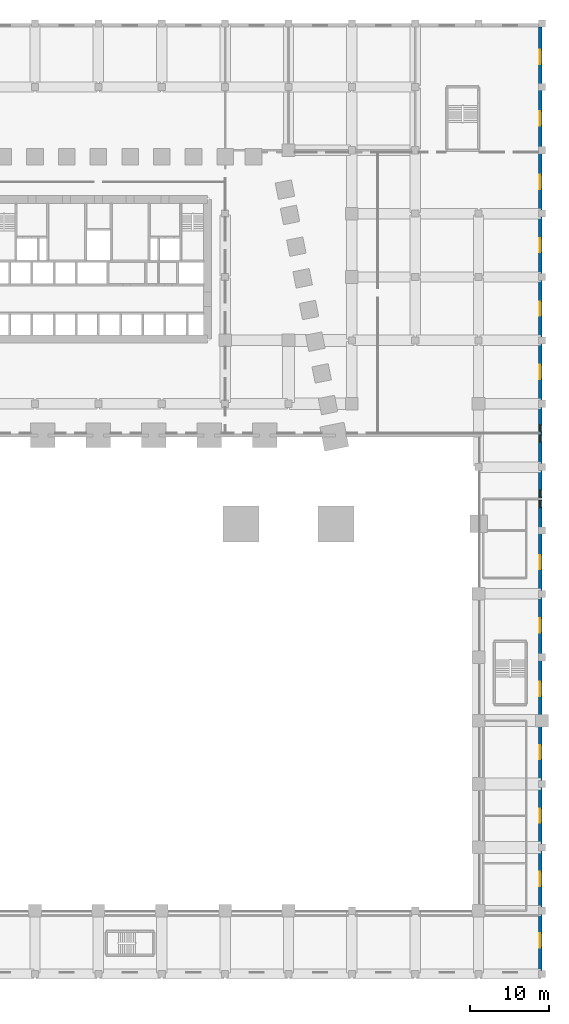
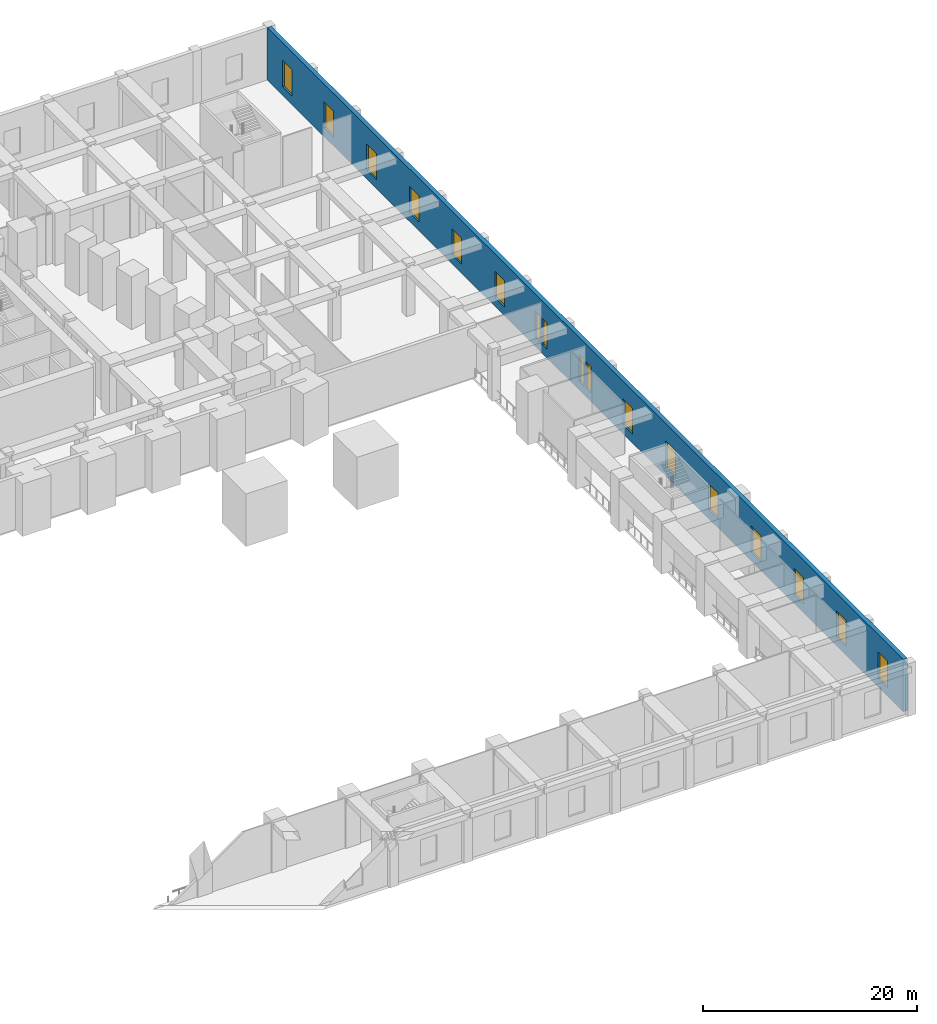
# One storey, part 9 of 25: 17 windows, 1 wall, 17 openings.
"""IFC4 building model written with IfcOpenShell, lengths in metres."""

import ifcopenshell
import ifcopenshell.guid

model = None  # the IFC model being written
_history = None  # IfcOwnerHistory: only IFC2X3 demands one
_inside = {}  # id of a spatial element -> (the spatial element, [elements in it])
_under = {}  # id of a project, library or spatial element -> (it, [spatial elements below it])
_declared = {}  # id of a project -> (the project, [libraries it declares])
_typed = {}  # id of a type object -> (the type object, [elements of that type])
_made_of = {}  # id of a material, layer set ... -> (it, [elements and type objects made of it])


def new_model(schema):
    """Start an empty IFC model of exactly this schema.

    Asked for "IFC4X3", IfcOpenShell would pick the latest addendum, in which some entities
    have other attributes; the version numbers below select the first issue.
    IFC2X3 requires an IfcOwnerHistory on every rooted entity: one is made here for all.
    """
    global model, _history
    if schema == "IFC4X3":
        model = ifcopenshell.file(schema_version=(4, 3, 0, 0))
    else:
        model = ifcopenshell.file(schema=schema)
    _inside.clear()
    _under.clear()
    _declared.clear()
    _typed.clear()
    _made_of.clear()
    _history = None
    if model.schema == "IFC2X3":
        org = make("IfcOrganization", Name="unknown")
        user = make(
            "IfcPersonAndOrganization",
            ThePerson=make("IfcPerson", FamilyName="unknown"),
            TheOrganization=org,
        )
        app = make(
            "IfcApplication",
            ApplicationDeveloper=org,
            Version="unknown",
            ApplicationFullName="unknown",
            ApplicationIdentifier="unknown",
        )
        _history = make(
            "IfcOwnerHistory",
            OwningUser=user,
            OwningApplication=app,
            ChangeAction="ADDED",
            CreationDate=0,
        )
    return model


def make(cls, **values):
    """One entity of the class cls with the attributes given. An attribute that is None is left unset."""
    return model.create_entity(
        cls, **{name: value for name, value in values.items() if value is not None}
    )


def rooted(cls, **values):
    """An entity with a GlobalId (a new one), such as an element, a storey or a relation."""
    return make(cls, GlobalId=ifcopenshell.guid.new(), OwnerHistory=_history, **values)


def si_unit(unit_type, name, prefix=None):
    """IfcSIUnit, for example si_unit("LENGTHUNIT", "METRE", prefix="MILLI")."""
    return make("IfcSIUnit", UnitType=unit_type, Prefix=prefix, Name=name)


def assignment(units):
    """IfcUnitAssignment: the units of a project."""
    return None if units is None else make("IfcUnitAssignment", Units=units)


def point(xyz):
    """IfcCartesianPoint."""
    return None if xyz is None else make("IfcCartesianPoint", Coordinates=xyz)


def direction(xyz):
    """IfcDirection."""
    return None if xyz is None else make("IfcDirection", DirectionRatios=xyz)


def frame(location, z_axis=None, x_axis=None):
    """IfcAxis2Placement3D, a coordinate frame: its origin and axes. An axis left out is left unset."""
    return make(
        "IfcAxis2Placement3D",
        Location=point(location),
        Axis=direction(z_axis),
        RefDirection=direction(x_axis),
    )


def frame_2d(location, x_axis=None):
    """IfcAxis2Placement2D, a coordinate frame in the plane: its origin and x axis."""
    return make(
        "IfcAxis2Placement2D", Location=point(location), RefDirection=direction(x_axis)
    )


def origin():
    """The frame at (0, 0, 0) with its axes left unset."""
    return frame((0.0, 0.0, 0.0))


def place(relative_to, where):
    """IfcLocalPlacement: puts the frame where relative to a parent placement (None: the world)."""
    return make(
        "IfcLocalPlacement", PlacementRelTo=relative_to, RelativePlacement=where
    )


def context(
    kind, dimensions, precision=None, world=None, true_north=None, identifier=None
):
    """IfcGeometricRepresentationContext, for example the 3D "Model" context."""
    return make(
        "IfcGeometricRepresentationContext",
        ContextIdentifier=identifier,
        ContextType=kind,
        CoordinateSpaceDimension=dimensions,
        Precision=precision,
        WorldCoordinateSystem=world,
        TrueNorth=true_north,
    )


def subcontext(parent, identifier, kind, view, scale=None):
    """IfcGeometricRepresentationSubContext, for example "Body" below "Model"."""
    return make(
        "IfcGeometricRepresentationSubContext",
        ContextIdentifier=identifier,
        ContextType=kind,
        ParentContext=parent,
        TargetScale=scale,
        TargetView=view,
    )


def project(units=None, contexts=None):
    """IfcProject with its units and contexts."""
    return rooted(
        "IfcProject",
        Name="project",
        RepresentationContexts=contexts,
        UnitsInContext=assignment(units),
    )


def spatial(cls, under=None, at=None, **own):
    """A site, building, storey or space (cls), placed at a placement, below another one or the project."""
    s = rooted(cls, ObjectPlacement=at, **own)
    if under is not None:
        _under.setdefault(under.id(), (under, []))[1].append(s)
    return s


def profile(cls, at=None, kind="AREA", **sizes):
    """A parametric profile (cls). Its sizes go by their IFC names, for example OverallWidth=200.0."""
    return make(cls, ProfileType=kind, Position=at, **sizes)


def rectangle(**sizes):
    """IfcRectangleProfileDef."""
    return profile("IfcRectangleProfileDef", **sizes)


def extrude(swept, where, along, depth):
    """IfcExtrudedAreaSolid: the profile swept, set in the frame where, extruded along a direction by depth."""
    return make(
        "IfcExtrudedAreaSolid",
        SweptArea=swept,
        Position=where,
        ExtrudedDirection=direction(along),
        Depth=depth,
    )


def shape(context_of_items, identifier, shape_type, items):
    """IfcShapeRepresentation: the items that make up one representation, for example the "Body"."""
    return make(
        "IfcShapeRepresentation",
        ContextOfItems=context_of_items,
        RepresentationIdentifier=identifier,
        RepresentationType=shape_type,
        Items=items,
    )


def material(Name=None, Category=None):
    """IfcMaterial."""
    return make("IfcMaterial", Name=Name, Category=Category)


def layer(
    of_material, thickness, ventilated=None, Name=None, Category=None, Priority=None
):
    """IfcMaterialLayer: one layer of a wall or slab, of a material (None: an air gap)."""
    return make(
        "IfcMaterialLayer",
        Material=of_material,
        LayerThickness=thickness,
        IsVentilated=ventilated,
        Name=Name,
        Category=Category,
        Priority=Priority,
    )


def layer_set(layers, Name=None):
    """IfcMaterialLayerSet."""
    return make("IfcMaterialLayerSet", MaterialLayers=layers, LayerSetName=Name)


def made_of(thing, what):
    """Note that an element or type object is made of a material, layer set ...; save() writes the relation."""
    if what is not None:
        _made_of.setdefault(what.id(), (what, []))[1].append(thing)
    return thing


def type_object(cls, material=None, **own):
    """A type object (cls), such as IfcWallType, which elements share."""
    return made_of(rooted(cls, **own), material)


def element(
    cls,
    number,
    at=None,
    inside=None,
    cuts=None,
    type_object=None,
    material=None,
    context=None,
    identifier="Body",
    shape_type=None,
    held_by="IfcProductDefinitionShape",
    body=None,
    shapes=None,
    **own,
):
    """One element of the class cls, such as IfcWall. Its Tag is "e" and its number.

    at: its placement. inside: the storey or other place that contains it. cuts: it is an
    opening in that element (IfcRelVoidsElement). A single representation is given by context,
    identifier, shape_type and body (its items); several are given by shapes. held_by: the class
    of the entity that holds the representations. save() writes the other relations.
    """
    e = rooted(cls, Tag="e%d" % number, ObjectPlacement=at, **own)
    if body is not None:
        shapes = [shape(context, identifier, shape_type, body)]
    if shapes is not None:
        e.Representation = make(held_by, Representations=shapes)
    if inside is not None:
        _inside.setdefault(inside.id(), (inside, []))[1].append(e)
    if cuts is not None:
        rooted(
            "IfcRelVoidsElement", RelatingBuildingElement=cuts, RelatedOpeningElement=e
        )
    if type_object is not None:
        _typed.setdefault(type_object.id(), (type_object, []))[1].append(e)
    return made_of(e, material)


def fill(opening, filler):
    """IfcRelFillsElement: the door or window that sits in an opening."""
    return rooted(
        "IfcRelFillsElement",
        RelatingOpeningElement=opening,
        RelatedBuildingElement=filler,
    )


def aggregate(whole, parts):
    """IfcRelAggregates: a whole, such as a stair, and the parts it consists of."""
    return rooted("IfcRelAggregates", RelatingObject=whole, RelatedObjects=parts)


def save(model, path):
    """Write the relations noted so far, then the file.

    IfcRelAggregates (storeys below a building ...), IfcRelContainedInSpatialStructure (elements
    in a storey), IfcRelDefinesByType, IfcRelAssociatesMaterial and IfcRelDeclares: one each for
    every whole, place, type object, material and project.
    """
    for whole, parts in _under.values():
        aggregate(whole, parts)
    for where, things in _inside.values():
        rooted(
            "IfcRelContainedInSpatialStructure",
            RelatedElements=things,
            RelatingStructure=where,
        )
    for kind, things in _typed.values():
        rooted("IfcRelDefinesByType", RelatedObjects=things, RelatingType=kind)
    for what, things in _made_of.values():
        rooted("IfcRelAssociatesMaterial", RelatedObjects=things, RelatingMaterial=what)
    for by, libraries in _declared.values():
        rooted("IfcRelDeclares", RelatingContext=by, RelatedDefinitions=libraries)
    model.write(path)


model = new_model("IFC4")

# Units and contexts
model_context = context("Model", 3, precision=1e-05, world=origin(), true_north=direction((0.0, 1.0)))
body_context = subcontext(model_context, "Body", "Model", "MODEL_VIEW")
ifc_project = project(units=[si_unit("LENGTHUNIT", "METRE"), si_unit("AREAUNIT", "SQUARE_METRE"), si_unit("VOLUMEUNIT", "CUBIC_METRE"), si_unit("PLANEANGLEUNIT", "RADIAN"), si_unit("MASSUNIT", "GRAM", prefix="KILO")], contexts=[model_context])

# Site, building, storey
site_placement = place(None, origin())
site = spatial("IfcSite", under=ifc_project, at=site_placement, CompositionType="ELEMENT")
building_placement = place(site_placement, origin())
building = spatial("IfcBuilding", under=site, at=building_placement, Name="Isbrekke Arena Tower", CompositionType="ELEMENT")
storey_placement = place(building_placement, frame((0.0, 0.0, 6.0)))
storey = spatial("IfcBuildingStorey", under=building, at=storey_placement, Name="L01", CompositionType="ELEMENT", Elevation=6.0)

# Wall, openings, windows
ifc_material_1 = material(Name="Pale brick facing on concrete backing wall", Category="masonry")
ifc_layer = layer(ifc_material_1, 0.449951171875)
ifc_layer_set = layer_set([ifc_layer], Name="EW1 PODIUM BRICK WALL 450")
wall_type = type_object("IfcWallType", Name="EW1 PODIUM BRICK WALL 450", PredefinedType="SOLIDWALL", material=ifc_layer_set)
wall_placement = place(storey_placement, frame((55.77490234375, -73.550048828125, 0.0), z_axis=(0.0, 0.0, 1.0), x_axis=(0.0, 1.0, 0.0)))
wall = element("IfcWall", 1, at=wall_placement, inside=storey, type_object=wall_type, Name="EW1 podium wall E L01", PredefinedType="SOLIDWALL", context=body_context, shape_type="SweptSolid", body=[
    extrude(rectangle(XDim=119.10009765625, YDim=0.449951171875, at=frame_2d((59.550048828125, 0.0))), origin(), (0.0, 0.0, 1.0), 6.0),
])
opening_1_placement = place(wall_placement, frame((2.875, 0.0, 1.0)))
opening_1 = element("IfcOpeningElement", 2, at=opening_1_placement, cuts=wall, Name="Opening WN2", PredefinedType="OPENING", context=body_context, shape_type="SweptSolid", body=[
    extrude(rectangle(XDim=1.800048828125, YDim=3.0, at=frame_2d((0.89990234375, 1.5))), frame((0.0, 0.23974609375, 0.0), z_axis=(0.0, -1.0, 0.0), x_axis=(1.0, 0.0, 0.0)), (0.0, 0.0, 1.0), 0.479736328125),
])
opening_2_placement = place(wall_placement, frame((10.64990234375, 0.0, 1.0)))
opening_2 = element("IfcOpeningElement", 3, at=opening_2_placement, cuts=wall, Name="Opening WN2", PredefinedType="OPENING", context=body_context, shape_type="SweptSolid", body=[
    extrude(rectangle(XDim=1.800048828125, YDim=3.0, at=frame_2d((0.89990234375, 1.5))), frame((0.0, 0.23974609375, 0.0), z_axis=(0.0, -1.0, 0.0), x_axis=(1.0, 0.0, 0.0)), (0.0, 0.0, 1.0), 0.479736328125),
])
opening_3_placement = place(wall_placement, frame((18.64990234375, 0.0, 1.0)))
opening_3 = element("IfcOpeningElement", 4, at=opening_3_placement, cuts=wall, Name="Opening WN2", PredefinedType="OPENING", context=body_context, shape_type="SweptSolid", body=[
    extrude(rectangle(XDim=1.800048828125, YDim=3.0, at=frame_2d((0.89990234375, 1.5))), frame((0.0, 0.23974609375, 0.0), z_axis=(0.0, -1.0, 0.0), x_axis=(1.0, 0.0, 0.0)), (0.0, 0.0, 1.0), 0.479736328125),
])
opening_4_placement = place(wall_placement, frame((26.64990234375, 0.0, 1.0)))
opening_4 = element("IfcOpeningElement", 5, at=opening_4_placement, cuts=wall, Name="Opening WN2", PredefinedType="OPENING", context=body_context, shape_type="SweptSolid", body=[
    extrude(rectangle(XDim=1.800048828125, YDim=3.0, at=frame_2d((0.89990234375, 1.5))), frame((0.0, 0.23974609375, 0.0), z_axis=(0.0, -1.0, 0.0), x_axis=(1.0, 0.0, 0.0)), (0.0, 0.0, 1.0), 0.479736328125),
])
opening_5_placement = place(wall_placement, frame((34.64990234375, 0.0, 1.0)))
opening_5 = element("IfcOpeningElement", 6, at=opening_5_placement, cuts=wall, Name="Opening WN2", PredefinedType="OPENING", context=body_context, shape_type="SweptSolid", body=[
    extrude(rectangle(XDim=1.800048828125, YDim=3.0, at=frame_2d((0.89990234375, 1.5))), frame((0.0, 0.23974609375, 0.0), z_axis=(0.0, -1.0, 0.0), x_axis=(1.0, 0.0, 0.0)), (0.0, 0.0, 1.0), 0.479736328125),
])
opening_6_placement = place(wall_placement, frame((42.64990234375, 0.0, 1.0)))
opening_6 = element("IfcOpeningElement", 7, at=opening_6_placement, cuts=wall, Name="Opening WN2", PredefinedType="OPENING", context=body_context, shape_type="SweptSolid", body=[
    extrude(rectangle(XDim=1.800048828125, YDim=3.0, at=frame_2d((0.89990234375, 1.5))), frame((0.0, 0.23974609375, 0.0), z_axis=(0.0, -1.0, 0.0), x_axis=(1.0, 0.0, 0.0)), (0.0, 0.0, 1.0), 0.479736328125),
])
opening_7_placement = place(wall_placement, frame((50.64990234375, 0.0, 1.0)))
opening_7 = element("IfcOpeningElement", 8, at=opening_7_placement, cuts=wall, Name="Opening WN2", PredefinedType="OPENING", context=body_context, shape_type="SweptSolid", body=[
    extrude(rectangle(XDim=1.800048828125, YDim=3.0, at=frame_2d((0.89990234375, 1.5))), frame((0.0, 0.23974609375, 0.0), z_axis=(0.0, -1.0, 0.0), x_axis=(1.0, 0.0, 0.0)), (0.0, 0.0, 1.0), 0.479736328125),
])
opening_8_placement = place(wall_placement, frame((58.449951171875, 0.0, 1.0)))
opening_8 = element("IfcOpeningElement", 9, at=opening_8_placement, cuts=wall, Name="Opening WN4", PredefinedType="OPENING", context=body_context, shape_type="SweptSolid", body=[
    extrude(rectangle(XDim=0.89990234375, YDim=3.0, at=frame_2d((0.449951171875, 1.5))), frame((0.0, 0.23974609375, 0.0), z_axis=(0.0, -1.0, 0.0), x_axis=(1.0, 0.0, 0.0)), (0.0, 0.0, 1.0), 0.479736328125),
])
opening_9_placement = place(wall_placement, frame((59.75, 0.0, 1.0)))
opening_9 = element("IfcOpeningElement", 10, at=opening_9_placement, cuts=wall, Name="Opening WN4", PredefinedType="OPENING", context=body_context, shape_type="SweptSolid", body=[
    extrude(rectangle(XDim=0.89990234375, YDim=3.0, at=frame_2d((0.449951171875, 1.5))), frame((0.0, 0.23974609375, 0.0), z_axis=(0.0, -1.0, 0.0), x_axis=(1.0, 0.0, 0.0)), (0.0, 0.0, 1.0), 0.479736328125),
])
opening_10_placement = place(wall_placement, frame((66.699951171875, 0.0, 1.0)))
opening_10 = element("IfcOpeningElement", 11, at=opening_10_placement, cuts=wall, Name="Opening WN4", PredefinedType="OPENING", context=body_context, shape_type="SweptSolid", body=[
    extrude(rectangle(XDim=0.89990234375, YDim=3.0, at=frame_2d((0.449951171875, 1.5))), frame((0.0, 0.23974609375, 0.0), z_axis=(0.0, -1.0, 0.0), x_axis=(1.0, 0.0, 0.0)), (0.0, 0.0, 1.0), 0.479736328125),
])
opening_11_placement = place(wall_placement, frame((68.0, 0.0, 1.0)))
opening_11 = element("IfcOpeningElement", 12, at=opening_11_placement, cuts=wall, Name="Opening WN4", PredefinedType="OPENING", context=body_context, shape_type="SweptSolid", body=[
    extrude(rectangle(XDim=0.89990234375, YDim=3.0, at=frame_2d((0.449951171875, 1.5))), frame((0.0, 0.23974609375, 0.0), z_axis=(0.0, -1.0, 0.0), x_axis=(1.0, 0.0, 0.0)), (0.0, 0.0, 1.0), 0.479736328125),
])
opening_12_placement = place(wall_placement, frame((74.64990234375, 0.0, 1.0)))
opening_12 = element("IfcOpeningElement", 13, at=opening_12_placement, cuts=wall, Name="Opening WN2", PredefinedType="OPENING", context=body_context, shape_type="SweptSolid", body=[
    extrude(rectangle(XDim=1.800048828125, YDim=3.0, at=frame_2d((0.89990234375, 1.5))), frame((0.0, 0.23974609375, 0.0), z_axis=(0.0, -1.0, 0.0), x_axis=(1.0, 0.0, 0.0)), (0.0, 0.0, 1.0), 0.479736328125),
])
opening_13_placement = place(wall_placement, frame((82.64990234375, 0.0, 1.0)))
opening_13 = element("IfcOpeningElement", 14, at=opening_13_placement, cuts=wall, Name="Opening WN2", PredefinedType="OPENING", context=body_context, shape_type="SweptSolid", body=[
    extrude(rectangle(XDim=1.800048828125, YDim=3.0, at=frame_2d((0.89990234375, 1.5))), frame((0.0, 0.23974609375, 0.0), z_axis=(0.0, -1.0, 0.0), x_axis=(1.0, 0.0, 0.0)), (0.0, 0.0, 1.0), 0.479736328125),
])
opening_14_placement = place(wall_placement, frame((90.64990234375, 0.0, 1.0)))
opening_14 = element("IfcOpeningElement", 15, at=opening_14_placement, cuts=wall, Name="Opening WN2", PredefinedType="OPENING", context=body_context, shape_type="SweptSolid", body=[
    extrude(rectangle(XDim=1.800048828125, YDim=3.0, at=frame_2d((0.89990234375, 1.5))), frame((0.0, 0.23974609375, 0.0), z_axis=(0.0, -1.0, 0.0), x_axis=(1.0, 0.0, 0.0)), (0.0, 0.0, 1.0), 0.479736328125),
])
opening_15_placement = place(wall_placement, frame((98.64990234375, 0.0, 1.0)))
opening_15 = element("IfcOpeningElement", 16, at=opening_15_placement, cuts=wall, Name="Opening WN2", PredefinedType="OPENING", context=body_context, shape_type="SweptSolid", body=[
    extrude(rectangle(XDim=1.800048828125, YDim=3.0, at=frame_2d((0.89990234375, 1.5))), frame((0.0, 0.23974609375, 0.0), z_axis=(0.0, -1.0, 0.0), x_axis=(1.0, 0.0, 0.0)), (0.0, 0.0, 1.0), 0.479736328125),
])
opening_16_placement = place(wall_placement, frame((106.64990234375, 0.0, 1.0)))
opening_16 = element("IfcOpeningElement", 17, at=opening_16_placement, cuts=wall, Name="Opening WN2", PredefinedType="OPENING", context=body_context, shape_type="SweptSolid", body=[
    extrude(rectangle(XDim=1.800048828125, YDim=3.0, at=frame_2d((0.89990234375, 1.5))), frame((0.0, 0.23974609375, 0.0), z_axis=(0.0, -1.0, 0.0), x_axis=(1.0, 0.0, 0.0)), (0.0, 0.0, 1.0), 0.479736328125),
])
opening_17_placement = place(wall_placement, frame((114.425048828125, 0.0, 1.0)))
opening_17 = element("IfcOpeningElement", 18, at=opening_17_placement, cuts=wall, Name="Opening WN2", PredefinedType="OPENING", context=body_context, shape_type="SweptSolid", body=[
    extrude(rectangle(XDim=1.800048828125, YDim=3.0, at=frame_2d((0.89990234375, 1.5))), frame((0.0, 0.23974609375, 0.0), z_axis=(0.0, -1.0, 0.0), x_axis=(1.0, 0.0, 0.0)), (0.0, 0.0, 1.0), 0.479736328125),
])
ifc_material_2 = material(Name="Timber-aluminium window, triple glazed", Category="wood")
window_type_1 = type_object("IfcWindowType", Name="WN2 PODIUM WINDOW 1800 x 3000", PartitioningType="SINGLE_PANEL", PredefinedType="WINDOW", material=ifc_material_2)
window_1_placement = place(opening_1_placement, origin())
window_1 = element("IfcWindow", 19, at=window_1_placement, inside=storey, type_object=window_type_1, Name="WN2 podium window E-1", OverallHeight=3.0, OverallWidth=1.800048828125, PartitioningType="SINGLE_PANEL", PredefinedType="WINDOW", context=body_context, shape_type="SweptSolid", body=[
    extrude(rectangle(XDim=1.800048828125, YDim=3.0, at=frame_2d((0.89990234375, 1.5))), frame((0.0, 0.030029296875, 0.0), z_axis=(0.0, -1.0, 0.0), x_axis=(1.0, 0.0, 0.0)), (0.0, 0.0, 1.0), 0.06005859375),
])
fill(opening_1, window_1)
window_2_placement = place(opening_2_placement, origin())
window_2 = element("IfcWindow", 20, at=window_2_placement, inside=storey, type_object=window_type_1, Name="WN2 podium window E-2", OverallHeight=3.0, OverallWidth=1.800048828125, PartitioningType="SINGLE_PANEL", PredefinedType="WINDOW", context=body_context, shape_type="SweptSolid", body=[
    extrude(rectangle(XDim=1.800048828125, YDim=3.0, at=frame_2d((0.89990234375, 1.5))), frame((0.0, 0.030029296875, 0.0), z_axis=(0.0, -1.0, 0.0), x_axis=(1.0, 0.0, 0.0)), (0.0, 0.0, 1.0), 0.06005859375),
])
fill(opening_2, window_2)
window_3_placement = place(opening_3_placement, origin())
window_3 = element("IfcWindow", 21, at=window_3_placement, inside=storey, type_object=window_type_1, Name="WN2 podium window E-3", OverallHeight=3.0, OverallWidth=1.800048828125, PartitioningType="SINGLE_PANEL", PredefinedType="WINDOW", context=body_context, shape_type="SweptSolid", body=[
    extrude(rectangle(XDim=1.800048828125, YDim=3.0, at=frame_2d((0.89990234375, 1.5))), frame((0.0, 0.030029296875, 0.0), z_axis=(0.0, -1.0, 0.0), x_axis=(1.0, 0.0, 0.0)), (0.0, 0.0, 1.0), 0.06005859375),
])
fill(opening_3, window_3)
window_4_placement = place(opening_4_placement, origin())
window_4 = element("IfcWindow", 22, at=window_4_placement, inside=storey, type_object=window_type_1, Name="WN2 podium window E-4", OverallHeight=3.0, OverallWidth=1.800048828125, PartitioningType="SINGLE_PANEL", PredefinedType="WINDOW", context=body_context, shape_type="SweptSolid", body=[
    extrude(rectangle(XDim=1.800048828125, YDim=3.0, at=frame_2d((0.89990234375, 1.5))), frame((0.0, 0.030029296875, 0.0), z_axis=(0.0, -1.0, 0.0), x_axis=(1.0, 0.0, 0.0)), (0.0, 0.0, 1.0), 0.06005859375),
])
fill(opening_4, window_4)
window_5_placement = place(opening_5_placement, origin())
window_5 = element("IfcWindow", 23, at=window_5_placement, inside=storey, type_object=window_type_1, Name="WN2 podium window E-5", OverallHeight=3.0, OverallWidth=1.800048828125, PartitioningType="SINGLE_PANEL", PredefinedType="WINDOW", context=body_context, shape_type="SweptSolid", body=[
    extrude(rectangle(XDim=1.800048828125, YDim=3.0, at=frame_2d((0.89990234375, 1.5))), frame((0.0, 0.030029296875, 0.0), z_axis=(0.0, -1.0, 0.0), x_axis=(1.0, 0.0, 0.0)), (0.0, 0.0, 1.0), 0.06005859375),
])
fill(opening_5, window_5)
window_6_placement = place(opening_6_placement, origin())
window_6 = element("IfcWindow", 24, at=window_6_placement, inside=storey, type_object=window_type_1, Name="WN2 podium window E-6", OverallHeight=3.0, OverallWidth=1.800048828125, PartitioningType="SINGLE_PANEL", PredefinedType="WINDOW", context=body_context, shape_type="SweptSolid", body=[
    extrude(rectangle(XDim=1.800048828125, YDim=3.0, at=frame_2d((0.89990234375, 1.5))), frame((0.0, 0.030029296875, 0.0), z_axis=(0.0, -1.0, 0.0), x_axis=(1.0, 0.0, 0.0)), (0.0, 0.0, 1.0), 0.06005859375),
])
fill(opening_6, window_6)
window_7_placement = place(opening_7_placement, origin())
window_7 = element("IfcWindow", 25, at=window_7_placement, inside=storey, type_object=window_type_1, Name="WN2 podium window E-7", OverallHeight=3.0, OverallWidth=1.800048828125, PartitioningType="SINGLE_PANEL", PredefinedType="WINDOW", context=body_context, shape_type="SweptSolid", body=[
    extrude(rectangle(XDim=1.800048828125, YDim=3.0, at=frame_2d((0.89990234375, 1.5))), frame((0.0, 0.030029296875, 0.0), z_axis=(0.0, -1.0, 0.0), x_axis=(1.0, 0.0, 0.0)), (0.0, 0.0, 1.0), 0.06005859375),
])
fill(opening_7, window_7)
window_8_placement = place(opening_12_placement, origin())
window_8 = element("IfcWindow", 26, at=window_8_placement, inside=storey, type_object=window_type_1, Name="WN2 podium window E-10", OverallHeight=3.0, OverallWidth=1.800048828125, PartitioningType="SINGLE_PANEL", PredefinedType="WINDOW", context=body_context, shape_type="SweptSolid", body=[
    extrude(rectangle(XDim=1.800048828125, YDim=3.0, at=frame_2d((0.89990234375, 1.5))), frame((0.0, 0.030029296875, 0.0), z_axis=(0.0, -1.0, 0.0), x_axis=(1.0, 0.0, 0.0)), (0.0, 0.0, 1.0), 0.06005859375),
])
fill(opening_12, window_8)
window_9_placement = place(opening_13_placement, origin())
window_9 = element("IfcWindow", 27, at=window_9_placement, inside=storey, type_object=window_type_1, Name="WN2 podium window E-11", OverallHeight=3.0, OverallWidth=1.800048828125, PartitioningType="SINGLE_PANEL", PredefinedType="WINDOW", context=body_context, shape_type="SweptSolid", body=[
    extrude(rectangle(XDim=1.800048828125, YDim=3.0, at=frame_2d((0.89990234375, 1.5))), frame((0.0, 0.030029296875, 0.0), z_axis=(0.0, -1.0, 0.0), x_axis=(1.0, 0.0, 0.0)), (0.0, 0.0, 1.0), 0.06005859375),
])
fill(opening_13, window_9)
window_10_placement = place(opening_14_placement, origin())
window_10 = element("IfcWindow", 28, at=window_10_placement, inside=storey, type_object=window_type_1, Name="WN2 podium window E-12", OverallHeight=3.0, OverallWidth=1.800048828125, PartitioningType="SINGLE_PANEL", PredefinedType="WINDOW", context=body_context, shape_type="SweptSolid", body=[
    extrude(rectangle(XDim=1.800048828125, YDim=3.0, at=frame_2d((0.89990234375, 1.5))), frame((0.0, 0.030029296875, 0.0), z_axis=(0.0, -1.0, 0.0), x_axis=(1.0, 0.0, 0.0)), (0.0, 0.0, 1.0), 0.06005859375),
])
fill(opening_14, window_10)
window_11_placement = place(opening_15_placement, origin())
window_11 = element("IfcWindow", 29, at=window_11_placement, inside=storey, type_object=window_type_1, Name="WN2 podium window E-13", OverallHeight=3.0, OverallWidth=1.800048828125, PartitioningType="SINGLE_PANEL", PredefinedType="WINDOW", context=body_context, shape_type="SweptSolid", body=[
    extrude(rectangle(XDim=1.800048828125, YDim=3.0, at=frame_2d((0.89990234375, 1.5))), frame((0.0, 0.030029296875, 0.0), z_axis=(0.0, -1.0, 0.0), x_axis=(1.0, 0.0, 0.0)), (0.0, 0.0, 1.0), 0.06005859375),
])
fill(opening_15, window_11)
window_12_placement = place(opening_16_placement, origin())
window_12 = element("IfcWindow", 30, at=window_12_placement, inside=storey, type_object=window_type_1, Name="WN2 podium window E-14", OverallHeight=3.0, OverallWidth=1.800048828125, PartitioningType="SINGLE_PANEL", PredefinedType="WINDOW", context=body_context, shape_type="SweptSolid", body=[
    extrude(rectangle(XDim=1.800048828125, YDim=3.0, at=frame_2d((0.89990234375, 1.5))), frame((0.0, 0.030029296875, 0.0), z_axis=(0.0, -1.0, 0.0), x_axis=(1.0, 0.0, 0.0)), (0.0, 0.0, 1.0), 0.06005859375),
])
fill(opening_16, window_12)
window_13_placement = place(opening_17_placement, origin())
window_13 = element("IfcWindow", 31, at=window_13_placement, inside=storey, type_object=window_type_1, Name="WN2 podium window E-15", OverallHeight=3.0, OverallWidth=1.800048828125, PartitioningType="SINGLE_PANEL", PredefinedType="WINDOW", context=body_context, shape_type="SweptSolid", body=[
    extrude(rectangle(XDim=1.800048828125, YDim=3.0, at=frame_2d((0.89990234375, 1.5))), frame((0.0, 0.030029296875, 0.0), z_axis=(0.0, -1.0, 0.0), x_axis=(1.0, 0.0, 0.0)), (0.0, 0.0, 1.0), 0.06005859375),
])
fill(opening_17, window_13)
ifc_material_3 = material(Name="Timber-aluminium window, triple glazed", Category="wood")
window_type_2 = type_object("IfcWindowType", Name="WN4 PODIUM WINDOW 900 x 3000", PartitioningType="SINGLE_PANEL", PredefinedType="WINDOW", material=ifc_material_3)
window_14_placement = place(opening_8_placement, origin())
window_14 = element("IfcWindow", 32, at=window_14_placement, inside=storey, type_object=window_type_2, Name="WN4 podium window E-8a", OverallHeight=3.0, OverallWidth=0.89990234375, PartitioningType="SINGLE_PANEL", PredefinedType="WINDOW", context=body_context, shape_type="SweptSolid", body=[
    extrude(rectangle(XDim=0.89990234375, YDim=3.0, at=frame_2d((0.449951171875, 1.5))), frame((0.0, 0.030029296875, 0.0), z_axis=(0.0, -1.0, 0.0), x_axis=(1.0, 0.0, 0.0)), (0.0, 0.0, 1.0), 0.06005859375),
])
fill(opening_8, window_14)
window_15_placement = place(opening_9_placement, origin())
window_15 = element("IfcWindow", 33, at=window_15_placement, inside=storey, type_object=window_type_2, Name="WN4 podium window E-8b", OverallHeight=3.0, OverallWidth=0.89990234375, PartitioningType="SINGLE_PANEL", PredefinedType="WINDOW", context=body_context, shape_type="SweptSolid", body=[
    extrude(rectangle(XDim=0.89990234375, YDim=3.0, at=frame_2d((0.449951171875, 1.5))), frame((0.0, 0.030029296875, 0.0), z_axis=(0.0, -1.0, 0.0), x_axis=(1.0, 0.0, 0.0)), (0.0, 0.0, 1.0), 0.06005859375),
])
fill(opening_9, window_15)
window_16_placement = place(opening_10_placement, origin())
window_16 = element("IfcWindow", 34, at=window_16_placement, inside=storey, type_object=window_type_2, Name="WN4 podium window E-9a", OverallHeight=3.0, OverallWidth=0.89990234375, PartitioningType="SINGLE_PANEL", PredefinedType="WINDOW", context=body_context, shape_type="SweptSolid", body=[
    extrude(rectangle(XDim=0.89990234375, YDim=3.0, at=frame_2d((0.449951171875, 1.5))), frame((0.0, 0.030029296875, 0.0), z_axis=(0.0, -1.0, 0.0), x_axis=(1.0, 0.0, 0.0)), (0.0, 0.0, 1.0), 0.06005859375),
])
fill(opening_10, window_16)
window_17_placement = place(opening_11_placement, origin())
window_17 = element("IfcWindow", 35, at=window_17_placement, inside=storey, type_object=window_type_2, Name="WN4 podium window E-9b", OverallHeight=3.0, OverallWidth=0.89990234375, PartitioningType="SINGLE_PANEL", PredefinedType="WINDOW", context=body_context, shape_type="SweptSolid", body=[
    extrude(rectangle(XDim=0.89990234375, YDim=3.0, at=frame_2d((0.449951171875, 1.5))), frame((0.0, 0.030029296875, 0.0), z_axis=(0.0, -1.0, 0.0), x_axis=(1.0, 0.0, 0.0)), (0.0, 0.0, 1.0), 0.06005859375),
])
fill(opening_11, window_17)

save(model, "model.ifc")
